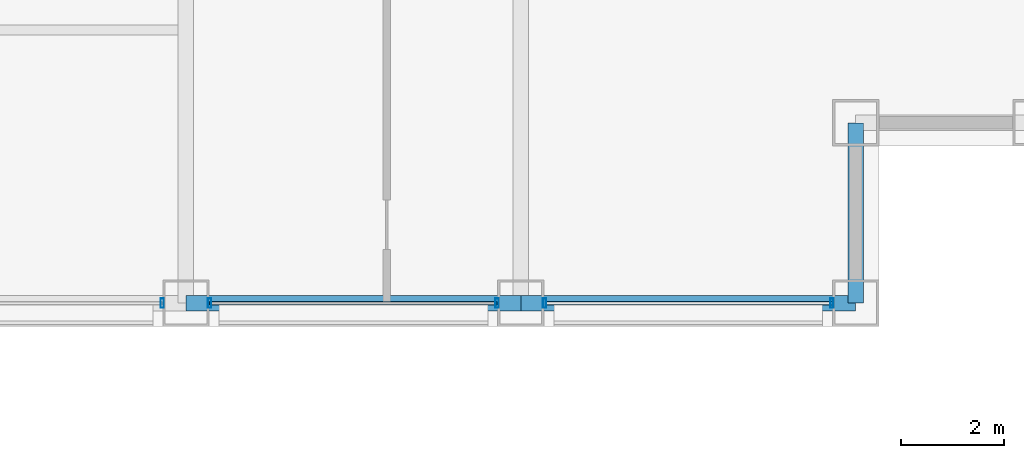
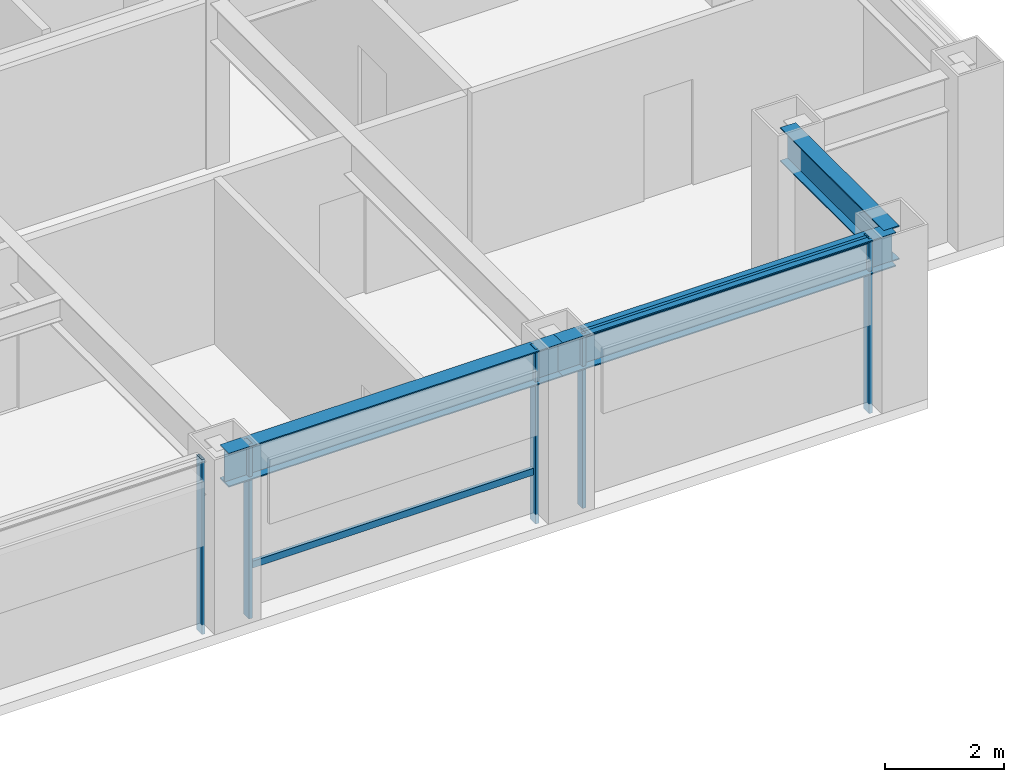
# One storey, part 8 of 29: 7 members, 3 beams, 3 elements without a shape of their own.
"""IFC4 building model written with IfcOpenShell, lengths in metres."""

from ifc_helpers import new_model, si_unit, direction, frame, origin, origin_2d, place, context, subcontext, project, spatial, hollow_rectangle, i_section, extrude, material, layer, layer_set, material_profile, profile_set, type_object, element, aggregate, save


model = new_model("IFC4")

# Units and contexts
model_context = context("Model", 3, precision=1e-05, world=origin(), true_north=direction((0.0, 1.0)))
body_context = subcontext(model_context, "Body", "Model", "MODEL_VIEW")
ifc_project = project(units=[si_unit("LENGTHUNIT", "METRE"), si_unit("AREAUNIT", "SQUARE_METRE"), si_unit("VOLUMEUNIT", "CUBIC_METRE"), si_unit("PLANEANGLEUNIT", "RADIAN"), si_unit("MASSUNIT", "GRAM", prefix="KILO")], contexts=[model_context])

# Site, building, storey
site_placement = place(None, origin())
site = spatial("IfcSite", under=ifc_project, at=site_placement, CompositionType="ELEMENT")
building_placement = place(site_placement, origin())
building = spatial("IfcBuilding", under=site, at=building_placement, Name="Brelmoor Portico Tower", CompositionType="ELEMENT")
storey_placement = place(building_placement, frame((0.0, 0.0, 63.60009765625)))
storey = spatial("IfcBuildingStorey", under=building, at=storey_placement, Name="L16", CompositionType="ELEMENT", Elevation=63.60009765625)

# Beams
ifc_material_1 = material(Name="Steel Q355B", Category="steel")
ifc_material_profile_1 = material_profile(ifc_material_1, i_section(OverallWidth=0.300048828125, OverallDepth=0.699951171875, WebThickness=0.012939453125, FlangeThickness=0.02392578125, at=origin_2d()), Name="HN 700x300x13x24")
ifc_profile_set_1 = profile_set([ifc_material_profile_1], Name="Steel Q355B")
beam_type = type_object("IfcBeamType", Name="BM-SP-700", PredefinedType="SPANDREL", material=ifc_profile_set_1)
for number, where, z_axis, x_axis, name in (
    (1, (8.050048828125, -21.550048828125, 3.0498046875), (1.0, 0.0, 0.0), (0.0, 1.0, 0.0), "L16 Perimeter Spandrel Beam SP-04"),
    (2, (14.550048828125, -21.550048828125, 3.0498046875), (1.0, 0.0, 0.0), (0.0, 1.0, 0.0), "L16 Perimeter Spandrel Beam SP-05"),
):
    element("IfcBeam", number, at=place(storey_placement, frame(where, z_axis=z_axis, x_axis=x_axis)), inside=storey, type_object=beam_type, Name=name, PredefinedType="SPANDREL", context=body_context, shape_type="SweptSolid", body=[
        extrude(i_section(OverallWidth=0.300048828125, OverallDepth=0.699951171875, WebThickness=0.012939453125, FlangeThickness=0.02392578125, at=origin_2d()), origin(), (0.0, 0.0, 1.0), 6.5),
    ])
beam_placement = place(storey_placement, frame((21.050048828125, -21.550048828125, 3.0498046875), z_axis=(0.0, 1.0, 0.0), x_axis=(-1.0, 0.0, 0.0)))
element("IfcBeam", 3, at=beam_placement, inside=storey, type_object=beam_type, Name="L16 Perimeter Spandrel Beam SP-20", PredefinedType="SPANDREL", context=body_context, shape_type="SweptSolid", body=[
    extrude(i_section(OverallWidth=0.300048828125, OverallDepth=0.699951171875, WebThickness=0.012939453125, FlangeThickness=0.02392578125, at=origin_2d()), origin(), (0.0, 0.0, 1.0), 3.5),
])

# Curtain wall, member
ifc_material_2 = material(Name="Anodised Aluminium Alloy 6063-T6", Category="aluminium")
ifc_layer_1 = layer(ifc_material_2, 0.179931640625)
ifc_layer_set_1 = layer_set([ifc_layer_1], Name="Anodised Aluminium Alloy 6063-T6")
curtain_wall_type_1 = type_object("IfcCurtainWallType", Name="CW-TOWER-Z1-XB", PredefinedType="NOTDEFINED", material=ifc_layer_set_1)
curtain_wall_1_placement = place(storey_placement, origin())
curtain_wall_1 = element("IfcCurtainWall", 4, at=curtain_wall_1_placement, inside=storey, type_object=curtain_wall_type_1, Name="L16 Curtain Wall CW-L16-1R-2", PredefinedType="NOTDEFINED")
ifc_material_profile_2 = material_profile(ifc_material_2, hollow_rectangle(XDim=0.06494140625, YDim=0.179931640625, WallThickness=0.00390625, at=origin_2d()), Name="ALU MULLION 65x180")
ifc_profile_set_2 = profile_set([ifc_material_profile_2], Name="Anodised Aluminium Alloy 6063-T6")
member_type_1 = type_object("IfcMemberType", Name="MB-CW-MULL-180", PredefinedType="MULLION", material=ifc_profile_set_2)
member_1_placement = place(storey_placement, frame((7.590087890625, -21.550048828125, -0.2001953125), z_axis=(0.0, 0.0, 1.0), x_axis=(1.0, 0.0, 0.0)))
member_1 = element("IfcMember", 5, at=member_1_placement, type_object=member_type_1, Name="CW-L16-1R-2 Mullion 01", PredefinedType="MULLION", context=body_context, shape_type="SweptSolid", body=[
    extrude(hollow_rectangle(XDim=0.06494140625, YDim=0.179931640625, WallThickness=0.00390625, at=origin_2d()), origin(), (0.0, 0.0, 1.0), 3.60009765625),
])
aggregate(curtain_wall_1, [member_1])

# Curtain wall, members
ifc_layer_2 = layer(ifc_material_2, 0.179931640625)
ifc_layer_set_2 = layer_set([ifc_layer_2], Name="Anodised Aluminium Alloy 6063-T6")
curtain_wall_type_2 = type_object("IfcCurtainWallType", Name="CW-TOWER-Z1", PredefinedType="NOTDEFINED", material=ifc_layer_set_2)
curtain_wall_2_placement = place(storey_placement, origin())
curtain_wall_2 = element("IfcCurtainWall", 6, at=curtain_wall_2_placement, inside=storey, type_object=curtain_wall_type_2, Name="L16 Curtain Wall CW-L16-1R-3", PredefinedType="NOTDEFINED")
member_2_placement = place(storey_placement, frame((8.510009765625, -21.550048828125, -0.2001953125), z_axis=(0.0, 0.0, 1.0), x_axis=(1.0, 0.0, 0.0)))
member_2 = element("IfcMember", 7, at=member_2_placement, type_object=member_type_1, Name="CW-L16-1R-3 Mullion 00", PredefinedType="MULLION", context=body_context, shape_type="SweptSolid", body=[
    extrude(hollow_rectangle(XDim=0.06494140625, YDim=0.179931640625, WallThickness=0.00390625, at=origin_2d()), origin(), (0.0, 0.0, 1.0), 3.60009765625),
])
member_3_placement = place(storey_placement, frame((14.090087890625, -21.550048828125, -0.2001953125), z_axis=(0.0, 0.0, 1.0), x_axis=(1.0, 0.0, 0.0)))
member_3 = element("IfcMember", 8, at=member_3_placement, type_object=member_type_1, Name="CW-L16-1R-3 Mullion 01", PredefinedType="MULLION", context=body_context, shape_type="SweptSolid", body=[
    extrude(hollow_rectangle(XDim=0.06494140625, YDim=0.179931640625, WallThickness=0.00390625, at=origin_2d()), origin(), (0.0, 0.0, 1.0), 3.60009765625),
])

curtain_wall_3_placement = place(storey_placement, origin())
curtain_wall_3 = element("IfcCurtainWall", 9, at=curtain_wall_3_placement, inside=storey, type_object=curtain_wall_type_1, Name="L16 Curtain Wall CW-L16-1R-4", PredefinedType="NOTDEFINED")
member_4_placement = place(storey_placement, frame((15.010009765625, -21.550048828125, -0.2001953125), z_axis=(0.0, 0.0, 1.0), x_axis=(1.0, 0.0, 0.0)))
member_4 = element("IfcMember", 10, at=member_4_placement, type_object=member_type_1, Name="CW-L16-1R-4 Mullion 00", PredefinedType="MULLION", context=body_context, shape_type="SweptSolid", body=[
    extrude(hollow_rectangle(XDim=0.06494140625, YDim=0.179931640625, WallThickness=0.00390625, at=origin_2d()), origin(), (0.0, 0.0, 1.0), 3.60009765625),
])
member_5_placement = place(storey_placement, frame((20.590087890625, -21.550048828125, -0.2001953125), z_axis=(0.0, 0.0, 1.0), x_axis=(1.0, 0.0, 0.0)))
member_5 = element("IfcMember", 11, at=member_5_placement, type_object=member_type_1, Name="CW-L16-1R-4 Mullion 01", PredefinedType="MULLION", context=body_context, shape_type="SweptSolid", body=[
    extrude(hollow_rectangle(XDim=0.06494140625, YDim=0.179931640625, WallThickness=0.00390625, at=origin_2d()), origin(), (0.0, 0.0, 1.0), 3.60009765625),
])

# Member
ifc_material_profile_3 = material_profile(ifc_material_2, hollow_rectangle(XDim=0.06494140625, YDim=0.139892578125, WallThickness=0.00390625, at=origin_2d()), Name="ALU TRANSOM 65x140")
ifc_profile_set_3 = profile_set([ifc_material_profile_3], Name="Anodised Aluminium Alloy 6063-T6")
member_type_2 = type_object("IfcMemberType", Name="MB-CW-TRAN-140", PredefinedType="USERDEFINED", material=ifc_profile_set_3)
member_6_placement = place(storey_placement, frame((8.510009765625, -21.550048828125, 0.849853515625), z_axis=(1.0, 0.0, 0.0), x_axis=(0.0, 1.0, 0.0)))
member_6 = element("IfcMember", 12, at=member_6_placement, type_object=member_type_2, Name="CW-L16-1R-3 Transom 1-00", ObjectType="TRANSOM", PredefinedType="USERDEFINED", context=body_context, shape_type="SweptSolid", body=[
    extrude(hollow_rectangle(XDim=0.06494140625, YDim=0.139892578125, WallThickness=0.00390625, at=origin_2d()), origin(), (0.0, 0.0, 1.0), 5.580078125),
])

aggregate(curtain_wall_2, [member_2, member_3, member_6])

member_7_placement = place(storey_placement, frame((15.010009765625, -21.550048828125, 3.329833984375), z_axis=(1.0, 0.0, 0.0), x_axis=(0.0, 1.0, 0.0)))
member_7 = element("IfcMember", 13, at=member_7_placement, type_object=member_type_2, Name="CW-L16-1R-4 Transom 1-00", ObjectType="TRANSOM", PredefinedType="USERDEFINED", context=body_context, shape_type="SweptSolid", body=[
    extrude(hollow_rectangle(XDim=0.06494140625, YDim=0.139892578125, WallThickness=0.00390625, at=origin_2d()), origin(), (0.0, 0.0, 1.0), 5.580078125),
])

aggregate(curtain_wall_3, [member_4, member_5, member_7])

save(model, "model.ifc")
